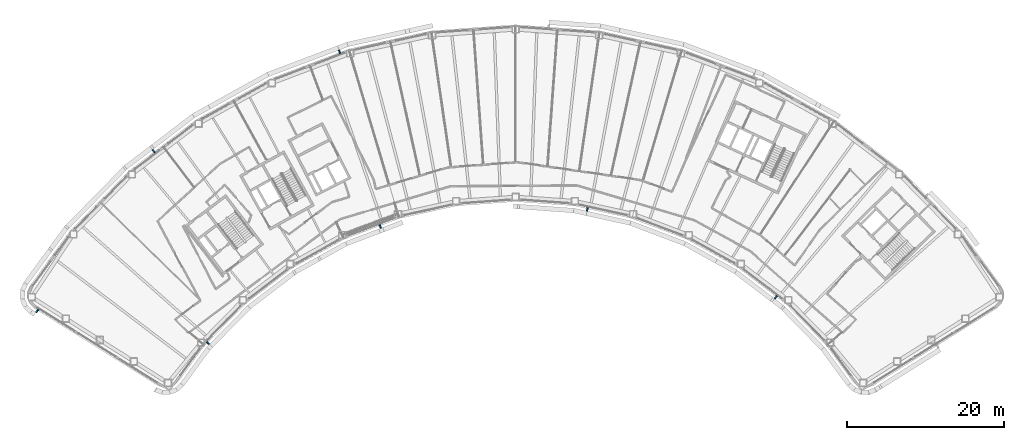
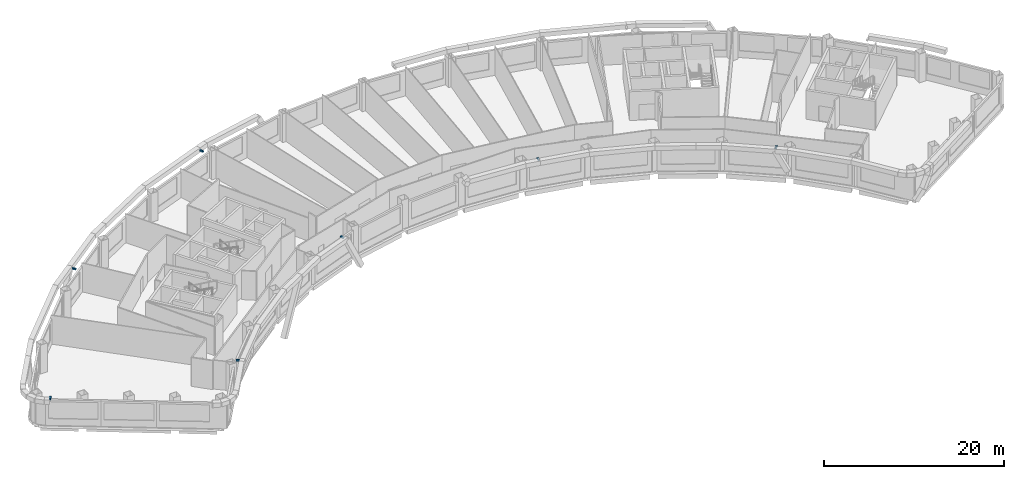
# One storey, part 12 of 16: 7 discrete accessories.
"""IFC4 building model written with IfcOpenShell, lengths in metres."""

from ifc_helpers import new_model, si_unit, direction, frame, origin, origin_2d, place, context, subcontext, project, spatial, rectangle, extrude, material, type_object, element, save


model = new_model("IFC4")

# Units and contexts
model_context = context("Model", 3, precision=1e-05, world=origin(), true_north=direction((0.0, 1.0)))
body_context = subcontext(model_context, "Body", "Model", "MODEL_VIEW")
ifc_project = project(units=[si_unit("LENGTHUNIT", "METRE"), si_unit("AREAUNIT", "SQUARE_METRE"), si_unit("VOLUMEUNIT", "CUBIC_METRE"), si_unit("PLANEANGLEUNIT", "RADIAN"), si_unit("MASSUNIT", "GRAM", prefix="KILO")], contexts=[model_context])

# Site, building, storey
site_placement = place(None, origin())
site = spatial("IfcSite", under=ifc_project, at=site_placement, CompositionType="ELEMENT")
building_placement = place(site_placement, origin())
building = spatial("IfcBuilding", under=site, at=building_placement, Name="Tuul Gate Civic Tower", CompositionType="ELEMENT")
storey_placement = place(building_placement, frame((0.0, 0.0, 184.699951171875)))
storey = spatial("IfcBuildingStorey", under=building, at=storey_placement, Name="Level 42", CompositionType="ELEMENT", Elevation=184.699951171875)

# Discrete accessories
ifc_material = material(Name="Stainless steel", Category="steel")
discrete_accessory_type = type_object("IfcDiscreteAccessoryType", Name="Screen bracket", PredefinedType="BRACKET", material=ifc_material)
discrete_accessory_1_placement = place(storey_placement, frame((-21.438720703125, 10.7568359375, 3.75), z_axis=(0.0, 0.0, 1.0), x_axis=(-0.301093614801, 0.953594586355, 0.0)))
element("IfcDiscreteAccessory", 1, at=discrete_accessory_1_placement, inside=storey, type_object=discrete_accessory_type, Name="Screen bracket 12", PredefinedType="BRACKET", context=body_context, shape_type="SweptSolid", body=[
    extrude(rectangle(XDim=0.45068359375, YDim=0.199951171875, at=origin_2d()), origin(), (0.0, 0.0, 1.0), 0.199951171875),
])
discrete_accessory_2_placement = place(storey_placement, frame((-45.125244140625, -1.908447265625, 3.75), z_axis=(0.0, 0.0, 1.0), x_axis=(-0.619891340286, 0.784687661581, 0.0)))
element("IfcDiscreteAccessory", 2, at=discrete_accessory_2_placement, inside=storey, type_object=discrete_accessory_type, Name="Screen bracket 15", PredefinedType="BRACKET", context=body_context, shape_type="SweptSolid", body=[
    extrude(rectangle(XDim=0.4501953125, YDim=0.199951171875, at=origin_2d()), origin(), (0.0, 0.0, 1.0), 0.199951171875),
])
discrete_accessory_3_placement = place(storey_placement, frame((-59.972900390625, -22.277587890625, 3.75), z_axis=(0.0, 0.0, 1.0), x_axis=(-0.609611262251, -0.792700516549, 0.0)))
element("IfcDiscreteAccessory", 3, at=discrete_accessory_3_placement, inside=storey, type_object=discrete_accessory_type, Name="Screen bracket 18", PredefinedType="BRACKET", context=body_context, shape_type="SweptSolid", body=[
    extrude(rectangle(XDim=0.4521484375, YDim=0.199951171875, at=origin_2d()), origin(), (0.0, 0.0, 1.0), 0.199951171875),
])
discrete_accessory_4_placement = place(storey_placement, frame((-38.21435546875, -26.3779296875, 3.75), z_axis=(0.0, 0.0, 1.0), x_axis=(0.756372035012, -0.654141685456, 0.0)))
element("IfcDiscreteAccessory", 4, at=discrete_accessory_4_placement, inside=storey, type_object=discrete_accessory_type, Name="Screen bracket 21", PredefinedType="BRACKET", context=body_context, shape_type="SweptSolid", body=[
    extrude(rectangle(XDim=0.450927734375, YDim=0.199951171875, at=origin_2d()), origin(), (0.0, 0.0, 1.0), 0.199951171875),
])
for number, where, z_axis, x_axis, name in (
    (5, (-16.2646484375, -11.502197265625, 3.75), (0.0, 0.0, 1.0), (0.333467922394, -0.942761446356, 0.0), "Screen bracket 24"),
    (6, (10.13818359375, -9.3271484375, 3.75), (0.0, 0.0, 1.0), (-0.176725719761, -0.984260138365, 0.0), "Screen bracket 27"),
):
    element("IfcDiscreteAccessory", number, at=place(storey_placement, frame(where, z_axis=z_axis, x_axis=x_axis)), inside=storey, type_object=discrete_accessory_type, Name=name, PredefinedType="BRACKET", context=body_context, shape_type="SweptSolid", body=[
        extrude(rectangle(XDim=0.4501953125, YDim=0.199951171875, at=origin_2d()), origin(), (0.0, 0.0, 1.0), 0.199951171875),
    ])
discrete_accessory_5_placement = place(storey_placement, frame((34.168212890625, -20.526611328125, 3.75), z_axis=(0.0, 0.0, 1.0), x_axis=(-0.640723630642, -0.76777159959, 0.0)))
element("IfcDiscreteAccessory", 7, at=discrete_accessory_5_placement, inside=storey, type_object=discrete_accessory_type, Name="Screen bracket 30", PredefinedType="BRACKET", context=body_context, shape_type="SweptSolid", body=[
    extrude(rectangle(XDim=0.450439453125, YDim=0.199951171875, at=origin_2d()), origin(), (0.0, 0.0, 1.0), 0.199951171875),
])

save(model, "model.ifc")
